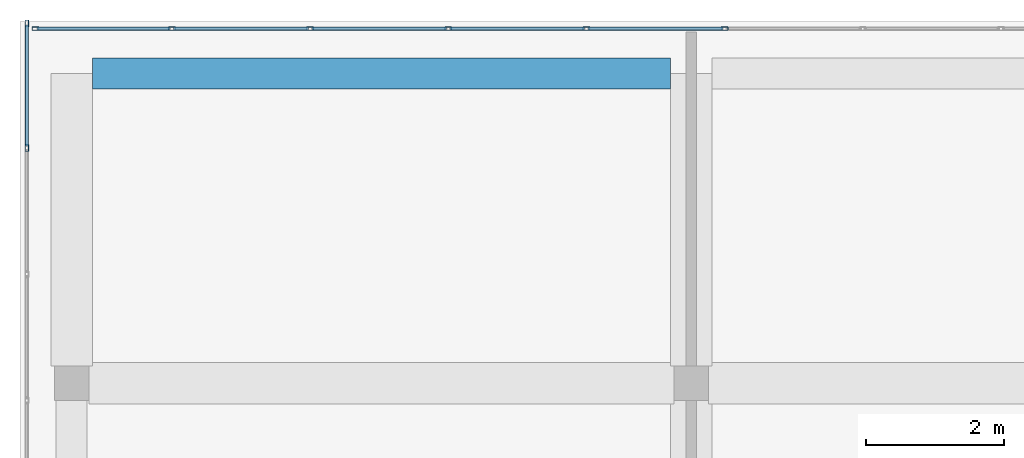
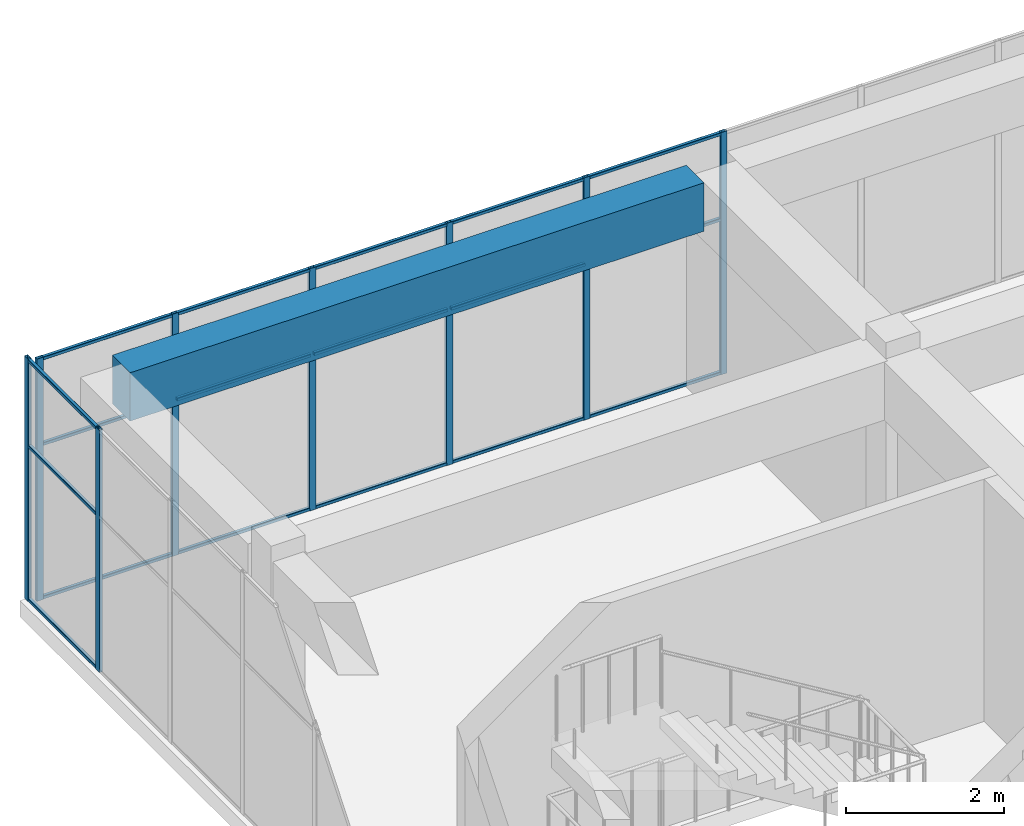
# One storey, part 22 of 34: 26 members, 1 beam, 2 elements without a shape of their own.
"""IFC4 building model written with IfcOpenShell, lengths in metres."""

from ifc_helpers import new_model, si_unit, direction, frame, origin, origin_2d, place, context, subcontext, project, spatial, rectangle, hollow_rectangle, extrude, material, layer, layer_set, material_profile, profile_set, type_object, element, aggregate, save


model = new_model("IFC4")

# Units and contexts
model_context = context("Model", 3, precision=1e-05, world=origin(), true_north=direction((0.0, 1.0)))
body_context = subcontext(model_context, "Body", "Model", "MODEL_VIEW")
ifc_project = project(units=[si_unit("LENGTHUNIT", "METRE"), si_unit("AREAUNIT", "SQUARE_METRE"), si_unit("VOLUMEUNIT", "CUBIC_METRE"), si_unit("PLANEANGLEUNIT", "RADIAN"), si_unit("MASSUNIT", "GRAM", prefix="KILO")], contexts=[model_context])

# Site, building, storey
site_placement = place(None, origin())
site = spatial("IfcSite", under=ifc_project, at=site_placement, CompositionType="ELEMENT")
building_placement = place(site_placement, origin())
building = spatial("IfcBuilding", under=site, at=building_placement, Name="Tuart Plaza Theatre", CompositionType="ELEMENT")
storey_placement = place(building_placement, frame((0.0, 0.0, 57.5)))
storey = spatial("IfcBuildingStorey", under=building, at=storey_placement, Name="L14", CompositionType="ELEMENT", Elevation=57.5)

# Beam
ifc_material_1 = material(Name="Concrete N40 (40 MPa)", Category="concrete")
ifc_material_profile_1 = material_profile(ifc_material_1, rectangle(XDim=0.449951171875, YDim=0.75, at=origin_2d()), Name="BEAM 450x750 Concrete N40 (40 MPa)")
ifc_profile_set_1 = profile_set([ifc_material_profile_1], Name="Concrete N40 (40 MPa)")
beam_type = type_object("IfcBeamType", Name="BEAM 450x750 Concrete N40 (40 MPa)", PredefinedType="BEAM", material=ifc_profile_set_1)
beam_placement = place(storey_placement, frame((114.300048828125, 96.5, 3.375), z_axis=(1.0, 0.0, 0.0), x_axis=(0.0, 1.0, 0.0)))
element("IfcBeam", 1, at=beam_placement, inside=storey, type_object=beam_type, Name="RB326", PredefinedType="BEAM", context=body_context, shape_type="SweptSolid", body=[
    extrude(rectangle(XDim=0.449951171875, YDim=0.75, at=origin_2d()), origin(), (0.0, 0.0, 1.0), 8.39990234375),
])

# Curtain wall, members
ifc_material_2 = material(Name="Aluminium and glass", Category="aluminium")
ifc_layer_1 = layer(ifc_material_2, 0.10009765625)
ifc_layer_set_1 = layer_set([ifc_layer_1], Name="CURTAIN WALL 2000 module")
curtain_wall_type_1 = type_object("IfcCurtainWallType", Name="CURTAIN WALL 2000 module", PredefinedType="NOTDEFINED", material=ifc_layer_set_1)
curtain_wall_1_placement = place(storey_placement, origin())
curtain_wall_1 = element("IfcCurtainWall", 2, at=curtain_wall_1_placement, inside=storey, type_object=curtain_wall_type_1, Name="CW117", PredefinedType="NOTDEFINED")
ifc_material_3 = material(Name="Aluminium 6063-T5", Category="aluminium")
ifc_material_profile_2 = material_profile(ifc_material_3, hollow_rectangle(XDim=0.050048828125, YDim=0.10009765625, WallThickness=0.00390625, InnerFilletRadius=0.00390625, OuterFilletRadius=0.008056640625, at=origin_2d()), Name="RHS 100x50x4")
ifc_profile_set_2 = profile_set([ifc_material_profile_2], Name="Aluminium 6063-T5")
member_type_1 = type_object("IfcMemberType", Name="MULLION RHS 100x50x4", PredefinedType="MULLION", material=ifc_profile_set_2)
member_1_placement = place(storey_placement, frame((123.485595703125, 97.14990234375, 0.0), z_axis=(0.0, 0.0, 1.0), x_axis=(0.0, -1.0, 0.0)))
member_1 = element("IfcMember", 3, at=member_1_placement, type_object=member_type_1, Name="CW117 mullion 10", PredefinedType="MULLION", context=body_context, shape_type="SweptSolid", body=[
    extrude(hollow_rectangle(XDim=0.050048828125, YDim=0.10009765625, WallThickness=0.00390625, InnerFilletRadius=0.00390625, OuterFilletRadius=0.008056640625, at=origin_2d()), origin(), (0.0, 0.0, 1.0), 3.75),
])
member_2_placement = place(storey_placement, frame((121.478515625, 97.14990234375, 0.0), z_axis=(0.0, 0.0, 1.0), x_axis=(0.0, -1.0, 0.0)))
member_2 = element("IfcMember", 4, at=member_2_placement, type_object=member_type_1, Name="CW117 mullion 11", PredefinedType="MULLION", context=body_context, shape_type="SweptSolid", body=[
    extrude(hollow_rectangle(XDim=0.050048828125, YDim=0.10009765625, WallThickness=0.00390625, InnerFilletRadius=0.00390625, OuterFilletRadius=0.008056640625, at=origin_2d()), origin(), (0.0, 0.0, 1.0), 3.75),
])
member_3_placement = place(storey_placement, frame((119.471435546875, 97.14990234375, 0.0), z_axis=(0.0, 0.0, 1.0), x_axis=(0.0, -1.0, 0.0)))
member_3 = element("IfcMember", 5, at=member_3_placement, type_object=member_type_1, Name="CW117 mullion 12", PredefinedType="MULLION", context=body_context, shape_type="SweptSolid", body=[
    extrude(hollow_rectangle(XDim=0.050048828125, YDim=0.10009765625, WallThickness=0.00390625, InnerFilletRadius=0.00390625, OuterFilletRadius=0.008056640625, at=origin_2d()), origin(), (0.0, 0.0, 1.0), 3.75),
])
member_4_placement = place(storey_placement, frame((117.46435546875, 97.14990234375, 0.0), z_axis=(0.0, 0.0, 1.0), x_axis=(0.0, -1.0, 0.0)))
member_4 = element("IfcMember", 6, at=member_4_placement, type_object=member_type_1, Name="CW117 mullion 13", PredefinedType="MULLION", context=body_context, shape_type="SweptSolid", body=[
    extrude(hollow_rectangle(XDim=0.050048828125, YDim=0.10009765625, WallThickness=0.00390625, InnerFilletRadius=0.00390625, OuterFilletRadius=0.008056640625, at=origin_2d()), origin(), (0.0, 0.0, 1.0), 3.75),
])
member_5_placement = place(storey_placement, frame((115.45703125, 97.14990234375, 0.0), z_axis=(0.0, 0.0, 1.0), x_axis=(0.0, -1.0, 0.0)))
member_5 = element("IfcMember", 7, at=member_5_placement, type_object=member_type_1, Name="CW117 mullion 14", PredefinedType="MULLION", context=body_context, shape_type="SweptSolid", body=[
    extrude(hollow_rectangle(XDim=0.050048828125, YDim=0.10009765625, WallThickness=0.00390625, InnerFilletRadius=0.00390625, OuterFilletRadius=0.008056640625, at=origin_2d()), origin(), (0.0, 0.0, 1.0), 3.75),
])
member_6_placement = place(storey_placement, frame((113.47509765625, 97.14990234375, 0.0), z_axis=(0.0, 0.0, 1.0), x_axis=(0.0, -1.0, 0.0)))
member_6 = element("IfcMember", 8, at=member_6_placement, type_object=member_type_1, Name="CW117 mullion 15", PredefinedType="MULLION", context=body_context, shape_type="SweptSolid", body=[
    extrude(hollow_rectangle(XDim=0.050048828125, YDim=0.10009765625, WallThickness=0.00390625, InnerFilletRadius=0.00390625, OuterFilletRadius=0.008056640625, at=origin_2d()), origin(), (0.0, 0.0, 1.0), 3.75),
])

ifc_material_4 = material(Name="Aluminium and glass", Category="aluminium")
ifc_layer_2 = layer(ifc_material_4, 0.10009765625)
ifc_layer_set_2 = layer_set([ifc_layer_2], Name="CURTAIN WALL 1800 module")
curtain_wall_type_2 = type_object("IfcCurtainWallType", Name="CURTAIN WALL 1800 module", PredefinedType="NOTDEFINED", material=ifc_layer_set_2)
curtain_wall_2_placement = place(storey_placement, origin())
curtain_wall_2 = element("IfcCurtainWall", 9, at=curtain_wall_2_placement, inside=storey, type_object=curtain_wall_type_2, Name="CW118", PredefinedType="NOTDEFINED")
member_7_placement = place(storey_placement, frame((113.35009765625, 97.22509765625, 0.0), z_axis=(0.0, 0.0, 1.0), x_axis=(1.0, 0.0, 0.0)))
member_7 = element("IfcMember", 10, at=member_7_placement, type_object=member_type_1, Name="CW118 mullion 1", PredefinedType="MULLION", context=body_context, shape_type="SweptSolid", body=[
    extrude(hollow_rectangle(XDim=0.050048828125, YDim=0.10009765625, WallThickness=0.00390625, InnerFilletRadius=0.00390625, OuterFilletRadius=0.008056640625, at=origin_2d()), origin(), (0.0, 0.0, 1.0), 3.75),
])
member_8_placement = place(storey_placement, frame((113.35009765625, 95.416748046875, 0.0), z_axis=(0.0, 0.0, 1.0), x_axis=(1.0, 0.0, 0.0)))
member_8 = element("IfcMember", 11, at=member_8_placement, type_object=member_type_1, Name="CW118 mullion 2", PredefinedType="MULLION", context=body_context, shape_type="SweptSolid", body=[
    extrude(hollow_rectangle(XDim=0.050048828125, YDim=0.10009765625, WallThickness=0.00390625, InnerFilletRadius=0.00390625, OuterFilletRadius=0.008056640625, at=origin_2d()), origin(), (0.0, 0.0, 1.0), 3.75),
])

# Member
ifc_material_5 = material(Name="Aluminium 6063-T5", Category="aluminium")
ifc_material_profile_3 = material_profile(ifc_material_5, hollow_rectangle(XDim=0.050048828125, YDim=0.050048828125, WallThickness=0.00390625, InnerFilletRadius=0.00390625, OuterFilletRadius=0.008056640625, at=origin_2d()), Name="RHS 50x50x4")
ifc_profile_set_3 = profile_set([ifc_material_profile_3], Name="Aluminium 6063-T5")
member_type_2 = type_object("IfcMemberType", Name="TRANSOM RHS 50x50x4", PredefinedType="USERDEFINED", material=ifc_profile_set_3)
member_9_placement = place(storey_placement, frame((123.460693359375, 97.14990234375, 0.02490234375), z_axis=(-1.0, 0.0, 0.0), x_axis=(0.0, -1.0, 0.0)))
member_9 = element("IfcMember", 12, at=member_9_placement, type_object=member_type_2, Name="CW117 transom 10.1", ObjectType="TRANSOM", PredefinedType="USERDEFINED", context=body_context, shape_type="SweptSolid", body=[
    extrude(hollow_rectangle(XDim=0.050048828125, YDim=0.050048828125, WallThickness=0.00390625, InnerFilletRadius=0.00390625, OuterFilletRadius=0.008056640625, at=origin_2d()), origin(), (0.0, 0.0, 1.0), 1.95703125),
])

member_10_placement = place(storey_placement, frame((123.460693359375, 97.14990234375, 2.39990234375), z_axis=(-1.0, 0.0, 0.0), x_axis=(0.0, -1.0, 0.0)))
member_10 = element("IfcMember", 13, at=member_10_placement, type_object=member_type_2, Name="CW117 transom 10.2", ObjectType="TRANSOM", PredefinedType="USERDEFINED", context=body_context, shape_type="SweptSolid", body=[
    extrude(hollow_rectangle(XDim=0.050048828125, YDim=0.050048828125, WallThickness=0.00390625, InnerFilletRadius=0.00390625, OuterFilletRadius=0.008056640625, at=origin_2d()), origin(), (0.0, 0.0, 1.0), 1.95703125),
])

member_11_placement = place(storey_placement, frame((123.460693359375, 97.14990234375, 3.72509765625), z_axis=(-1.0, 0.0, 0.0), x_axis=(0.0, -1.0, 0.0)))
member_11 = element("IfcMember", 14, at=member_11_placement, type_object=member_type_2, Name="CW117 transom 10.3", ObjectType="TRANSOM", PredefinedType="USERDEFINED", context=body_context, shape_type="SweptSolid", body=[
    extrude(hollow_rectangle(XDim=0.050048828125, YDim=0.050048828125, WallThickness=0.00390625, InnerFilletRadius=0.00390625, OuterFilletRadius=0.008056640625, at=origin_2d()), origin(), (0.0, 0.0, 1.0), 1.95703125),
])

member_12_placement = place(storey_placement, frame((121.45361328125, 97.14990234375, 0.02490234375), z_axis=(-1.0, 0.0, 0.0), x_axis=(0.0, -1.0, 0.0)))
member_12 = element("IfcMember", 15, at=member_12_placement, type_object=member_type_2, Name="CW117 transom 11.1", ObjectType="TRANSOM", PredefinedType="USERDEFINED", context=body_context, shape_type="SweptSolid", body=[
    extrude(hollow_rectangle(XDim=0.050048828125, YDim=0.050048828125, WallThickness=0.00390625, InnerFilletRadius=0.00390625, OuterFilletRadius=0.008056640625, at=origin_2d()), origin(), (0.0, 0.0, 1.0), 1.957275390625),
])

member_13_placement = place(storey_placement, frame((121.45361328125, 97.14990234375, 2.39990234375), z_axis=(-1.0, 0.0, 0.0), x_axis=(0.0, -1.0, 0.0)))
member_13 = element("IfcMember", 16, at=member_13_placement, type_object=member_type_2, Name="CW117 transom 11.2", ObjectType="TRANSOM", PredefinedType="USERDEFINED", context=body_context, shape_type="SweptSolid", body=[
    extrude(hollow_rectangle(XDim=0.050048828125, YDim=0.050048828125, WallThickness=0.00390625, InnerFilletRadius=0.00390625, OuterFilletRadius=0.008056640625, at=origin_2d()), origin(), (0.0, 0.0, 1.0), 1.957275390625),
])

member_14_placement = place(storey_placement, frame((121.45361328125, 97.14990234375, 3.72509765625), z_axis=(-1.0, 0.0, 0.0), x_axis=(0.0, -1.0, 0.0)))
member_14 = element("IfcMember", 17, at=member_14_placement, type_object=member_type_2, Name="CW117 transom 11.3", ObjectType="TRANSOM", PredefinedType="USERDEFINED", context=body_context, shape_type="SweptSolid", body=[
    extrude(hollow_rectangle(XDim=0.050048828125, YDim=0.050048828125, WallThickness=0.00390625, InnerFilletRadius=0.00390625, OuterFilletRadius=0.008056640625, at=origin_2d()), origin(), (0.0, 0.0, 1.0), 1.957275390625),
])

member_15_placement = place(storey_placement, frame((119.446533203125, 97.14990234375, 0.02490234375), z_axis=(-1.0, 0.0, 0.0), x_axis=(0.0, -1.0, 0.0)))
member_15 = element("IfcMember", 18, at=member_15_placement, type_object=member_type_2, Name="CW117 transom 12.1", ObjectType="TRANSOM", PredefinedType="USERDEFINED", context=body_context, shape_type="SweptSolid", body=[
    extrude(hollow_rectangle(XDim=0.050048828125, YDim=0.050048828125, WallThickness=0.00390625, InnerFilletRadius=0.00390625, OuterFilletRadius=0.008056640625, at=origin_2d()), origin(), (0.0, 0.0, 1.0), 1.957275390625),
])

member_16_placement = place(storey_placement, frame((119.446533203125, 97.14990234375, 2.39990234375), z_axis=(-1.0, 0.0, 0.0), x_axis=(0.0, -1.0, 0.0)))
member_16 = element("IfcMember", 19, at=member_16_placement, type_object=member_type_2, Name="CW117 transom 12.2", ObjectType="TRANSOM", PredefinedType="USERDEFINED", context=body_context, shape_type="SweptSolid", body=[
    extrude(hollow_rectangle(XDim=0.050048828125, YDim=0.050048828125, WallThickness=0.00390625, InnerFilletRadius=0.00390625, OuterFilletRadius=0.008056640625, at=origin_2d()), origin(), (0.0, 0.0, 1.0), 1.957275390625),
])

member_17_placement = place(storey_placement, frame((119.446533203125, 97.14990234375, 3.72509765625), z_axis=(-1.0, 0.0, 0.0), x_axis=(0.0, -1.0, 0.0)))
member_17 = element("IfcMember", 20, at=member_17_placement, type_object=member_type_2, Name="CW117 transom 12.3", ObjectType="TRANSOM", PredefinedType="USERDEFINED", context=body_context, shape_type="SweptSolid", body=[
    extrude(hollow_rectangle(XDim=0.050048828125, YDim=0.050048828125, WallThickness=0.00390625, InnerFilletRadius=0.00390625, OuterFilletRadius=0.008056640625, at=origin_2d()), origin(), (0.0, 0.0, 1.0), 1.957275390625),
])

member_18_placement = place(storey_placement, frame((117.439208984375, 97.14990234375, 0.02490234375), z_axis=(-1.0, 0.0, 0.0), x_axis=(0.0, -1.0, 0.0)))
member_18 = element("IfcMember", 21, at=member_18_placement, type_object=member_type_2, Name="CW117 transom 13.1", ObjectType="TRANSOM", PredefinedType="USERDEFINED", context=body_context, shape_type="SweptSolid", body=[
    extrude(hollow_rectangle(XDim=0.050048828125, YDim=0.050048828125, WallThickness=0.00390625, InnerFilletRadius=0.00390625, OuterFilletRadius=0.008056640625, at=origin_2d()), origin(), (0.0, 0.0, 1.0), 1.95703125),
])

member_19_placement = place(storey_placement, frame((117.439208984375, 97.14990234375, 2.39990234375), z_axis=(-1.0, 0.0, 0.0), x_axis=(0.0, -1.0, 0.0)))
member_19 = element("IfcMember", 22, at=member_19_placement, type_object=member_type_2, Name="CW117 transom 13.2", ObjectType="TRANSOM", PredefinedType="USERDEFINED", context=body_context, shape_type="SweptSolid", body=[
    extrude(hollow_rectangle(XDim=0.050048828125, YDim=0.050048828125, WallThickness=0.00390625, InnerFilletRadius=0.00390625, OuterFilletRadius=0.008056640625, at=origin_2d()), origin(), (0.0, 0.0, 1.0), 1.95703125),
])

member_20_placement = place(storey_placement, frame((117.439208984375, 97.14990234375, 3.72509765625), z_axis=(-1.0, 0.0, 0.0), x_axis=(0.0, -1.0, 0.0)))
member_20 = element("IfcMember", 23, at=member_20_placement, type_object=member_type_2, Name="CW117 transom 13.3", ObjectType="TRANSOM", PredefinedType="USERDEFINED", context=body_context, shape_type="SweptSolid", body=[
    extrude(hollow_rectangle(XDim=0.050048828125, YDim=0.050048828125, WallThickness=0.00390625, InnerFilletRadius=0.00390625, OuterFilletRadius=0.008056640625, at=origin_2d()), origin(), (0.0, 0.0, 1.0), 1.95703125),
])

member_21_placement = place(storey_placement, frame((115.43212890625, 97.14990234375, 0.02490234375), z_axis=(-1.0, 0.0, 0.0), x_axis=(0.0, -1.0, 0.0)))
member_21 = element("IfcMember", 24, at=member_21_placement, type_object=member_type_2, Name="CW117 transom 14.1", ObjectType="TRANSOM", PredefinedType="USERDEFINED", context=body_context, shape_type="SweptSolid", body=[
    extrude(hollow_rectangle(XDim=0.050048828125, YDim=0.050048828125, WallThickness=0.00390625, InnerFilletRadius=0.00390625, OuterFilletRadius=0.008056640625, at=origin_2d()), origin(), (0.0, 0.0, 1.0), 1.93212890625),
])

member_22_placement = place(storey_placement, frame((115.43212890625, 97.14990234375, 2.39990234375), z_axis=(-1.0, 0.0, 0.0), x_axis=(0.0, -1.0, 0.0)))
member_22 = element("IfcMember", 25, at=member_22_placement, type_object=member_type_2, Name="CW117 transom 14.2", ObjectType="TRANSOM", PredefinedType="USERDEFINED", context=body_context, shape_type="SweptSolid", body=[
    extrude(hollow_rectangle(XDim=0.050048828125, YDim=0.050048828125, WallThickness=0.00390625, InnerFilletRadius=0.00390625, OuterFilletRadius=0.008056640625, at=origin_2d()), origin(), (0.0, 0.0, 1.0), 1.93212890625),
])

member_23_placement = place(storey_placement, frame((115.43212890625, 97.14990234375, 3.72509765625), z_axis=(-1.0, 0.0, 0.0), x_axis=(0.0, -1.0, 0.0)))
member_23 = element("IfcMember", 26, at=member_23_placement, type_object=member_type_2, Name="CW117 transom 14.3", ObjectType="TRANSOM", PredefinedType="USERDEFINED", context=body_context, shape_type="SweptSolid", body=[
    extrude(hollow_rectangle(XDim=0.050048828125, YDim=0.050048828125, WallThickness=0.00390625, InnerFilletRadius=0.00390625, OuterFilletRadius=0.008056640625, at=origin_2d()), origin(), (0.0, 0.0, 1.0), 1.93212890625),
])

aggregate(curtain_wall_1, [member_1, member_2, member_3, member_4, member_5, member_6, member_9, member_10, member_11, member_12, member_13, member_14, member_15, member_16, member_17, member_18, member_19, member_20, member_21, member_22, member_23])

member_24_placement = place(storey_placement, frame((113.35009765625, 97.199951171875, 0.02490234375), z_axis=(0.0, -1.0, 0.0), x_axis=(1.0, 0.0, 0.0)))
member_24 = element("IfcMember", 27, at=member_24_placement, type_object=member_type_2, Name="CW118 transom 1.1", ObjectType="TRANSOM", PredefinedType="USERDEFINED", context=body_context, shape_type="SweptSolid", body=[
    extrude(hollow_rectangle(XDim=0.050048828125, YDim=0.050048828125, WallThickness=0.00390625, InnerFilletRadius=0.00390625, OuterFilletRadius=0.008056640625, at=origin_2d()), origin(), (0.0, 0.0, 1.0), 1.75830078125),
])

member_25_placement = place(storey_placement, frame((113.35009765625, 97.199951171875, 2.39990234375), z_axis=(0.0, -1.0, 0.0), x_axis=(1.0, 0.0, 0.0)))
member_25 = element("IfcMember", 28, at=member_25_placement, type_object=member_type_2, Name="CW118 transom 1.2", ObjectType="TRANSOM", PredefinedType="USERDEFINED", context=body_context, shape_type="SweptSolid", body=[
    extrude(hollow_rectangle(XDim=0.050048828125, YDim=0.050048828125, WallThickness=0.00390625, InnerFilletRadius=0.00390625, OuterFilletRadius=0.008056640625, at=origin_2d()), origin(), (0.0, 0.0, 1.0), 1.75830078125),
])

member_26_placement = place(storey_placement, frame((113.35009765625, 97.199951171875, 3.72509765625), z_axis=(0.0, -1.0, 0.0), x_axis=(1.0, 0.0, 0.0)))
member_26 = element("IfcMember", 29, at=member_26_placement, type_object=member_type_2, Name="CW118 transom 1.3", ObjectType="TRANSOM", PredefinedType="USERDEFINED", context=body_context, shape_type="SweptSolid", body=[
    extrude(hollow_rectangle(XDim=0.050048828125, YDim=0.050048828125, WallThickness=0.00390625, InnerFilletRadius=0.00390625, OuterFilletRadius=0.008056640625, at=origin_2d()), origin(), (0.0, 0.0, 1.0), 1.75830078125),
])

aggregate(curtain_wall_2, [member_7, member_8, member_24, member_25, member_26])

save(model, "model.ifc")
